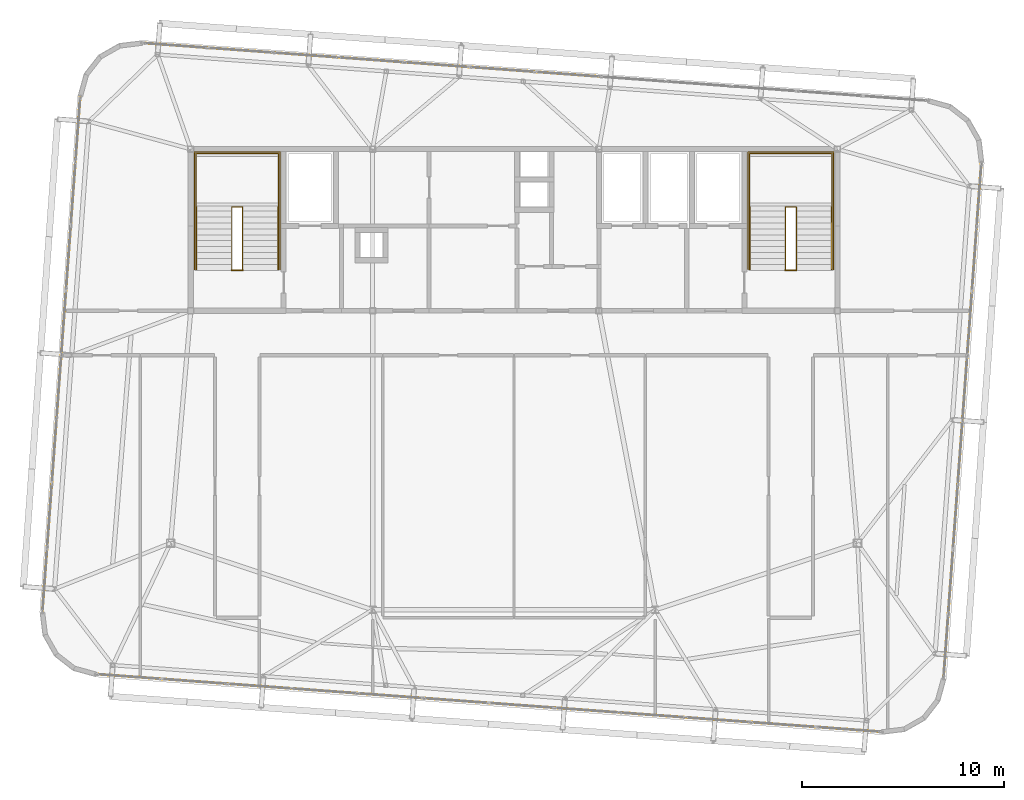
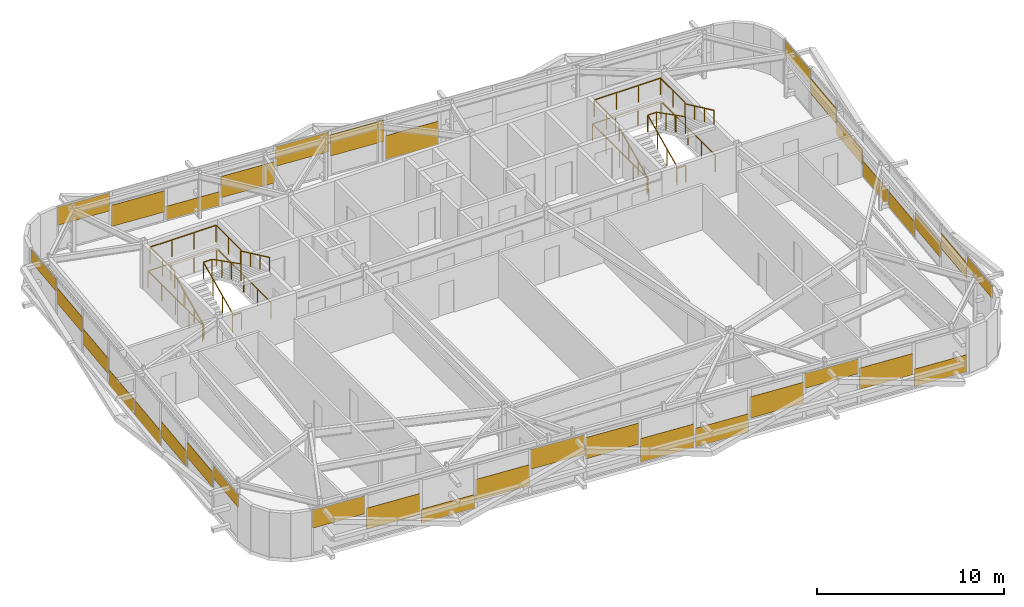
# One storey, part 41 of 42: 35 coverings, 12 railings.
"""IFC4 building model written with IfcOpenShell, lengths in metres."""

from ifc_helpers import new_model, si_unit, direction, frame, origin, origin_2d, place, context, subcontext, project, spatial, rectangle, extrude, source, transform, mapped, material, layer, layer_set, type_object, element, save


model = new_model("IFC4")

# Units and contexts
model_context = context("Model", 3, precision=1e-05, world=origin(), true_north=direction((0.0, 1.0)))
body_context = subcontext(model_context, "Body", "Model", "MODEL_VIEW")
ifc_project = project(units=[si_unit("LENGTHUNIT", "METRE"), si_unit("AREAUNIT", "SQUARE_METRE"), si_unit("VOLUMEUNIT", "CUBIC_METRE"), si_unit("PLANEANGLEUNIT", "RADIAN"), si_unit("MASSUNIT", "GRAM", prefix="KILO")], contexts=[model_context])

# Site, building, storey
site_placement = place(None, origin())
site = spatial("IfcSite", under=ifc_project, at=site_placement, CompositionType="ELEMENT")
building_placement = place(site_placement, origin())
building = spatial("IfcBuilding", under=site, at=building_placement, Name="Taldren Reach Tower", CompositionType="ELEMENT")
storey_placement = place(building_placement, frame((0.0, 0.0, 214.550048828125)))
storey = spatial("IfcBuildingStorey", under=building, at=storey_placement, Name="L65", CompositionType="ELEMENT", Elevation=214.550048828125)

# Railings
ifc_material_1 = material(Name="Steel Gr 350 (C350L0)", Category="steel")
ifc_layer_1 = layer(ifc_material_1, 0.050048828125)
ifc_layer_set_1 = layer_set([ifc_layer_1], Name="Steel Gr 350 (C350L0)")
railing_type_1 = type_object("IfcRailingType", Name="RL-STAIR-GR", PredefinedType="GUARDRAIL", material=ifc_layer_set_1)
railing_1_placement = place(storey_placement, frame((19.260009765625, 29.135009765625, 1.574951171875)))
element("IfcRailing", 1, at=railing_1_placement, inside=storey, type_object=railing_type_1, Name="Stair half-landing perimeter guard ST1-L65", PredefinedType="GUARDRAIL", context=body_context, shape_type="SweptSolid", body=[
    extrude(rectangle(XDim=0.047852, YDim=0.047852, at=origin_2d()), frame((0.0, 0.0, 1.09619140625), z_axis=(0.0, 1.0, 0.0), x_axis=(-1.0, 0.0, 0.0)), (0.0, 0.0, 1.0), 2.64501953125),
    extrude(rectangle(XDim=0.047852, YDim=0.047852, at=origin_2d()), frame((0.0, 2.64501953125, 1.09619140625), z_axis=(1.0, 0.0, 0.0), x_axis=(0.0, 1.0, 0.0)), (0.0, 0.0, 1.0), 4.080078125),
    extrude(rectangle(XDim=0.047852, YDim=0.047852, at=origin_2d()), frame((4.080078125, 2.64501953125, 1.09619140625), z_axis=(0.0, -1.0, 0.0), x_axis=(1.0, 0.0, 0.0)), (0.0, 0.0, 1.0), 2.64501953125),
    extrude(rectangle(XDim=0.041992, YDim=0.041992, at=origin_2d()), origin(), (0.0, 0.0, 1.0), 1.072021484375),
    extrude(rectangle(XDim=0.041992, YDim=0.041992, at=origin_2d()), frame((0.0, 1.322509765625, 0.0)), (0.0, 0.0, 1.0), 1.072021484375),
    extrude(rectangle(XDim=0.041992, YDim=0.041992, at=origin_2d()), frame((0.0, 2.64501953125, 0.0)), (0.0, 0.0, 1.0), 1.072021484375),
    extrude(rectangle(XDim=0.041992, YDim=0.041992, at=origin_2d()), frame((1.360107421875, 2.64501953125, 0.0)), (0.0, 0.0, 1.0), 1.072021484375),
    extrude(rectangle(XDim=0.041992, YDim=0.041992, at=origin_2d()), frame((2.719970703125, 2.64501953125, 0.0)), (0.0, 0.0, 1.0), 1.072021484375),
    extrude(rectangle(XDim=0.041992, YDim=0.041992, at=origin_2d()), frame((4.080078125, 2.64501953125, 0.0)), (0.0, 0.0, 1.0), 1.072021484375),
    extrude(rectangle(XDim=0.041992, YDim=0.041992, at=origin_2d()), frame((4.080078125, 1.322509765625, 0.0)), (0.0, 0.0, 1.0), 1.072021484375),
    extrude(rectangle(XDim=0.041992, YDim=0.041992, at=origin_2d()), frame((4.080078125, 0.0, 0.0)), (0.0, 0.0, 1.0), 1.072021484375),
])
railing_2_placement = place(storey_placement, frame((21.030029296875, 26.050048828125, 0.13134765625)))
element("IfcRailing", 2, at=railing_2_placement, inside=storey, type_object=railing_type_1, Name="Stairwell inner guard ST1-L65", PredefinedType="GUARDRAIL", context=body_context, shape_type="SweptSolid", body=[
    extrude(rectangle(XDim=0.047852, YDim=0.047852, at=origin_2d()), frame((0.0, 0.0, 1.09619140625), z_axis=(0.0, 0.905737652094, 0.423838773095), x_axis=(-1.0, 0.0, 0.0)), (0.0, 0.0, 1.0), 3.406005859375),
    extrude(rectangle(XDim=0.047852, YDim=0.047852, at=origin_2d()), frame((0.0, 3.0849609375, 2.53955078125), z_axis=(1.0, 0.0, 0.0), x_axis=(0.0, 1.0, 0.0)), (0.0, 0.0, 1.0), 0.5400390625),
    extrude(rectangle(XDim=0.047852, YDim=0.047852, at=origin_2d()), frame((0.5400390625, 3.0849609375, 2.53955078125), z_axis=(0.0, -0.890645957773, 0.45469745755), x_axis=(1.0, 0.0, 0.0)), (0.0, 0.0, 1.0), 3.463623046875),
    extrude(rectangle(XDim=0.041992, YDim=0.041992, at=origin_2d()), origin(), (0.0, 0.0, 1.0), 1.072021484375),
    extrude(rectangle(XDim=0.041992, YDim=0.041992, at=origin_2d()), frame((0.0, 1.0283203125, 0.481201171875)), (0.0, 0.0, 1.0), 1.072021484375),
    extrude(rectangle(XDim=0.041992, YDim=0.041992, at=origin_2d()), frame((0.0, 2.056640625, 0.96240234375)), (0.0, 0.0, 1.0), 1.072021484375),
    extrude(rectangle(XDim=0.041992, YDim=0.041992, at=origin_2d()), frame((0.0, 3.0849609375, 1.443603515625)), (0.0, 0.0, 1.0), 1.072021484375),
    extrude(rectangle(XDim=0.041992, YDim=0.041992, at=origin_2d()), frame((0.5400390625, 3.0849609375, 1.443603515625)), (0.0, 0.0, 1.0), 1.072021484375),
    extrude(rectangle(XDim=0.041992, YDim=0.041992, at=origin_2d()), frame((0.5400390625, 2.056640625, 1.968505859375)), (0.0, 0.0, 1.0), 1.072021484375),
    extrude(rectangle(XDim=0.041992, YDim=0.041992, at=origin_2d()), frame((0.5400390625, 1.0283203125, 2.49365234375)), (0.0, 0.0, 1.0), 1.072021484375),
    extrude(rectangle(XDim=0.041992, YDim=0.041992, at=origin_2d()), frame((0.5400390625, 0.0, 3.0185546875)), (0.0, 0.0, 1.0), 1.072021484375),
])
railing_3_placement = place(storey_placement, frame((21.030029296875, 26.010009765625, 0.0)))
element("IfcRailing", 3, at=railing_3_placement, inside=storey, type_object=railing_type_1, Name="Stairwell landing slot guard ST1-L65", PredefinedType="GUARDRAIL", context=body_context, shape_type="SweptSolid", body=[
    extrude(rectangle(XDim=0.047852, YDim=0.047852, at=origin_2d()), frame((0.0, 0.0, 1.09619140625), z_axis=(1.0, 0.0, 0.0), x_axis=(0.0, 1.0, 0.0)), (0.0, 0.0, 1.0), 0.5400390625),
    extrude(rectangle(XDim=0.041992, YDim=0.041992, at=origin_2d()), origin(), (0.0, 0.0, 1.0), 1.072021484375),
    extrude(rectangle(XDim=0.041992, YDim=0.041992, at=origin_2d()), frame((0.5400390625, 0.0, 0.0)), (0.0, 0.0, 1.0), 1.072021484375),
])
railing_4_placement = place(storey_placement, frame((19.18994140625, 26.050048828125, 0.0)))
element("IfcRailing", 4, at=railing_4_placement, inside=storey, type_object=railing_type_1, Name="Stairwell floor opening guard ST1-L65", PredefinedType="GUARDRAIL", context=body_context, shape_type="SweptSolid", body=[
    extrude(rectangle(XDim=0.047852, YDim=0.047852, at=origin_2d()), frame((0.0, 0.0, 1.09619140625), z_axis=(0.0, 1.0, 0.0), x_axis=(-1.0, 0.0, 0.0)), (0.0, 0.0, 1.0), 5.800048828125),
    extrude(rectangle(XDim=0.047852, YDim=0.047852, at=origin_2d()), frame((0.0, 5.800048828125, 1.09619140625), z_axis=(1.0, 0.0, 0.0), x_axis=(0.0, 1.0, 0.0)), (0.0, 0.0, 1.0), 4.219970703125),
    extrude(rectangle(XDim=0.047852, YDim=0.047852, at=origin_2d()), frame((4.219970703125, 5.800048828125, 1.09619140625), z_axis=(0.0, -1.0, 0.0), x_axis=(1.0, 0.0, 0.0)), (0.0, 0.0, 1.0), 5.800048828125),
    extrude(rectangle(XDim=0.041992, YDim=0.041992, at=origin_2d()), origin(), (0.0, 0.0, 1.0), 1.072021484375),
    extrude(rectangle(XDim=0.041992, YDim=0.041992, at=origin_2d()), frame((0.0, 1.449951171875, 0.0)), (0.0, 0.0, 1.0), 1.072021484375),
    extrude(rectangle(XDim=0.041992, YDim=0.041992, at=origin_2d()), frame((0.0, 2.89990234375, 0.0)), (0.0, 0.0, 1.0), 1.072021484375),
    extrude(rectangle(XDim=0.041992, YDim=0.041992, at=origin_2d()), frame((0.0, 4.35009765625, 0.0)), (0.0, 0.0, 1.0), 1.072021484375),
    extrude(rectangle(XDim=0.041992, YDim=0.041992, at=origin_2d()), frame((0.0, 5.800048828125, 0.0)), (0.0, 0.0, 1.0), 1.072021484375),
    extrude(rectangle(XDim=0.041992, YDim=0.041992, at=origin_2d()), frame((1.40673828125, 5.800048828125, 0.0)), (0.0, 0.0, 1.0), 1.072021484375),
    extrude(rectangle(XDim=0.041992, YDim=0.041992, at=origin_2d()), frame((2.813232421875, 5.800048828125, 0.0)), (0.0, 0.0, 1.0), 1.072021484375),
    extrude(rectangle(XDim=0.041992, YDim=0.041992, at=origin_2d()), frame((4.219970703125, 5.800048828125, 0.0)), (0.0, 0.0, 1.0), 1.072021484375),
    extrude(rectangle(XDim=0.041992, YDim=0.041992, at=origin_2d()), frame((4.219970703125, 4.35009765625, 0.0)), (0.0, 0.0, 1.0), 1.072021484375),
    extrude(rectangle(XDim=0.041992, YDim=0.041992, at=origin_2d()), frame((4.219970703125, 2.89990234375, 0.0)), (0.0, 0.0, 1.0), 1.072021484375),
    extrude(rectangle(XDim=0.041992, YDim=0.041992, at=origin_2d()), frame((4.219970703125, 1.449951171875, 0.0)), (0.0, 0.0, 1.0), 1.072021484375),
    extrude(rectangle(XDim=0.041992, YDim=0.041992, at=origin_2d()), frame((4.219970703125, 0.0, 0.0)), (0.0, 0.0, 1.0), 1.072021484375),
])
railing_5_placement = place(storey_placement, frame((46.659912109375, 29.135009765625, 1.574951171875)))
element("IfcRailing", 5, at=railing_5_placement, inside=storey, type_object=railing_type_1, Name="Stair half-landing perimeter guard ST2-L65", PredefinedType="GUARDRAIL", context=body_context, shape_type="SweptSolid", body=[
    extrude(rectangle(XDim=0.047852, YDim=0.047852, at=origin_2d()), frame((0.0, 0.0, 1.09619140625), z_axis=(0.0, 1.0, 0.0), x_axis=(-1.0, 0.0, 0.0)), (0.0, 0.0, 1.0), 2.64501953125),
    extrude(rectangle(XDim=0.047852, YDim=0.047852, at=origin_2d()), frame((0.0, 2.64501953125, 1.09619140625), z_axis=(1.0, 0.0, 0.0), x_axis=(0.0, 1.0, 0.0)), (0.0, 0.0, 1.0), 4.080078125),
    extrude(rectangle(XDim=0.047852, YDim=0.047852, at=origin_2d()), frame((4.080078125, 2.64501953125, 1.09619140625), z_axis=(0.0, -1.0, 0.0), x_axis=(1.0, 0.0, 0.0)), (0.0, 0.0, 1.0), 2.64501953125),
    extrude(rectangle(XDim=0.041992, YDim=0.041992, at=origin_2d()), origin(), (0.0, 0.0, 1.0), 1.072021484375),
    extrude(rectangle(XDim=0.041992, YDim=0.041992, at=origin_2d()), frame((0.0, 1.322509765625, 0.0)), (0.0, 0.0, 1.0), 1.072021484375),
    extrude(rectangle(XDim=0.041992, YDim=0.041992, at=origin_2d()), frame((0.0, 2.64501953125, 0.0)), (0.0, 0.0, 1.0), 1.072021484375),
    extrude(rectangle(XDim=0.041992, YDim=0.041992, at=origin_2d()), frame((1.360107421875, 2.64501953125, 0.0)), (0.0, 0.0, 1.0), 1.072021484375),
    extrude(rectangle(XDim=0.041992, YDim=0.041992, at=origin_2d()), frame((2.719970703125, 2.64501953125, 0.0)), (0.0, 0.0, 1.0), 1.072021484375),
    extrude(rectangle(XDim=0.041992, YDim=0.041992, at=origin_2d()), frame((4.080078125, 2.64501953125, 0.0)), (0.0, 0.0, 1.0), 1.072021484375),
    extrude(rectangle(XDim=0.041992, YDim=0.041992, at=origin_2d()), frame((4.080078125, 1.322509765625, 0.0)), (0.0, 0.0, 1.0), 1.072021484375),
    extrude(rectangle(XDim=0.041992, YDim=0.041992, at=origin_2d()), frame((4.080078125, 0.0, 0.0)), (0.0, 0.0, 1.0), 1.072021484375),
])
railing_6_placement = place(storey_placement, frame((48.429931640625, 26.050048828125, 0.13134765625)))
element("IfcRailing", 6, at=railing_6_placement, inside=storey, type_object=railing_type_1, Name="Stairwell inner guard ST2-L65", PredefinedType="GUARDRAIL", context=body_context, shape_type="SweptSolid", body=[
    extrude(rectangle(XDim=0.047852, YDim=0.047852, at=origin_2d()), frame((0.0, 0.0, 1.09619140625), z_axis=(0.0, 0.905737652094, 0.423838773095), x_axis=(-1.0, 0.0, 0.0)), (0.0, 0.0, 1.0), 3.406005859375),
    extrude(rectangle(XDim=0.047852, YDim=0.047852, at=origin_2d()), frame((0.0, 3.0849609375, 2.53955078125), z_axis=(1.0, 0.0, 0.0), x_axis=(0.0, 1.0, 0.0)), (0.0, 0.0, 1.0), 0.5400390625),
    extrude(rectangle(XDim=0.047852, YDim=0.047852, at=origin_2d()), frame((0.5400390625, 3.0849609375, 2.53955078125), z_axis=(0.0, -0.890645957773, 0.45469745755), x_axis=(1.0, 0.0, 0.0)), (0.0, 0.0, 1.0), 3.463623046875),
    extrude(rectangle(XDim=0.041992, YDim=0.041992, at=origin_2d()), origin(), (0.0, 0.0, 1.0), 1.072021484375),
    extrude(rectangle(XDim=0.041992, YDim=0.041992, at=origin_2d()), frame((0.0, 1.0283203125, 0.481201171875)), (0.0, 0.0, 1.0), 1.072021484375),
    extrude(rectangle(XDim=0.041992, YDim=0.041992, at=origin_2d()), frame((0.0, 2.056640625, 0.96240234375)), (0.0, 0.0, 1.0), 1.072021484375),
    extrude(rectangle(XDim=0.041992, YDim=0.041992, at=origin_2d()), frame((0.0, 3.0849609375, 1.443603515625)), (0.0, 0.0, 1.0), 1.072021484375),
    extrude(rectangle(XDim=0.041992, YDim=0.041992, at=origin_2d()), frame((0.5400390625, 3.0849609375, 1.443603515625)), (0.0, 0.0, 1.0), 1.072021484375),
    extrude(rectangle(XDim=0.041992, YDim=0.041992, at=origin_2d()), frame((0.5400390625, 2.056640625, 1.968505859375)), (0.0, 0.0, 1.0), 1.072021484375),
    extrude(rectangle(XDim=0.041992, YDim=0.041992, at=origin_2d()), frame((0.5400390625, 1.0283203125, 2.49365234375)), (0.0, 0.0, 1.0), 1.072021484375),
    extrude(rectangle(XDim=0.041992, YDim=0.041992, at=origin_2d()), frame((0.5400390625, 0.0, 3.0185546875)), (0.0, 0.0, 1.0), 1.072021484375),
])
railing_7_placement = place(storey_placement, frame((48.429931640625, 26.010009765625, 0.0)))
element("IfcRailing", 7, at=railing_7_placement, inside=storey, type_object=railing_type_1, Name="Stairwell landing slot guard ST2-L65", PredefinedType="GUARDRAIL", context=body_context, shape_type="SweptSolid", body=[
    extrude(rectangle(XDim=0.047852, YDim=0.047852, at=origin_2d()), frame((0.0, 0.0, 1.09619140625), z_axis=(1.0, 0.0, 0.0), x_axis=(0.0, 1.0, 0.0)), (0.0, 0.0, 1.0), 0.5400390625),
    extrude(rectangle(XDim=0.041992, YDim=0.041992, at=origin_2d()), origin(), (0.0, 0.0, 1.0), 1.072021484375),
    extrude(rectangle(XDim=0.041992, YDim=0.041992, at=origin_2d()), frame((0.5400390625, 0.0, 0.0)), (0.0, 0.0, 1.0), 1.072021484375),
])
railing_8_placement = place(storey_placement, frame((46.590087890625, 26.050048828125, 0.0)))
element("IfcRailing", 8, at=railing_8_placement, inside=storey, type_object=railing_type_1, Name="Stairwell floor opening guard ST2-L65", PredefinedType="GUARDRAIL", context=body_context, shape_type="SweptSolid", body=[
    extrude(rectangle(XDim=0.047852, YDim=0.047852, at=origin_2d()), frame((0.0, 0.0, 1.09619140625), z_axis=(0.0, 1.0, 0.0), x_axis=(-1.0, 0.0, 0.0)), (0.0, 0.0, 1.0), 5.800048828125),
    extrude(rectangle(XDim=0.047852, YDim=0.047852, at=origin_2d()), frame((0.0, 5.800048828125, 1.09619140625), z_axis=(1.0, 0.0, 0.0), x_axis=(0.0, 1.0, 0.0)), (0.0, 0.0, 1.0), 4.219970703125),
    extrude(rectangle(XDim=0.047852, YDim=0.047852, at=origin_2d()), frame((4.219970703125, 5.800048828125, 1.09619140625), z_axis=(0.0, -1.0, 0.0), x_axis=(1.0, 0.0, 0.0)), (0.0, 0.0, 1.0), 5.800048828125),
    extrude(rectangle(XDim=0.041992, YDim=0.041992, at=origin_2d()), origin(), (0.0, 0.0, 1.0), 1.072021484375),
    extrude(rectangle(XDim=0.041992, YDim=0.041992, at=origin_2d()), frame((0.0, 1.449951171875, 0.0)), (0.0, 0.0, 1.0), 1.072021484375),
    extrude(rectangle(XDim=0.041992, YDim=0.041992, at=origin_2d()), frame((0.0, 2.89990234375, 0.0)), (0.0, 0.0, 1.0), 1.072021484375),
    extrude(rectangle(XDim=0.041992, YDim=0.041992, at=origin_2d()), frame((0.0, 4.35009765625, 0.0)), (0.0, 0.0, 1.0), 1.072021484375),
    extrude(rectangle(XDim=0.041992, YDim=0.041992, at=origin_2d()), frame((0.0, 5.800048828125, 0.0)), (0.0, 0.0, 1.0), 1.072021484375),
    extrude(rectangle(XDim=0.041992, YDim=0.041992, at=origin_2d()), frame((1.40673828125, 5.800048828125, 0.0)), (0.0, 0.0, 1.0), 1.072021484375),
    extrude(rectangle(XDim=0.041992, YDim=0.041992, at=origin_2d()), frame((2.813232421875, 5.800048828125, 0.0)), (0.0, 0.0, 1.0), 1.072021484375),
    extrude(rectangle(XDim=0.041992, YDim=0.041992, at=origin_2d()), frame((4.219970703125, 5.800048828125, 0.0)), (0.0, 0.0, 1.0), 1.072021484375),
    extrude(rectangle(XDim=0.041992, YDim=0.041992, at=origin_2d()), frame((4.219970703125, 4.35009765625, 0.0)), (0.0, 0.0, 1.0), 1.072021484375),
    extrude(rectangle(XDim=0.041992, YDim=0.041992, at=origin_2d()), frame((4.219970703125, 2.89990234375, 0.0)), (0.0, 0.0, 1.0), 1.072021484375),
    extrude(rectangle(XDim=0.041992, YDim=0.041992, at=origin_2d()), frame((4.219970703125, 1.449951171875, 0.0)), (0.0, 0.0, 1.0), 1.072021484375),
    extrude(rectangle(XDim=0.041992, YDim=0.041992, at=origin_2d()), frame((4.219970703125, 0.0, 0.0)), (0.0, 0.0, 1.0), 1.072021484375),
])
ifc_material_2 = material(Name="Stainless Steel Gr 316", Category="steel")
ifc_layer_2 = layer(ifc_material_2, 0.048095703125)
ifc_layer_set_2 = layer_set([ifc_layer_2], Name="Stainless Steel Gr 316")
railing_type_2 = type_object("IfcRailingType", Name="RL-STAIR-HR", PredefinedType="HANDRAIL", material=ifc_layer_set_2)
railing_9_placement = place(storey_placement, frame((19.27001953125, 26.050048828125, 0.13134765625)))
element("IfcRailing", 9, at=railing_9_placement, inside=storey, type_object=railing_type_2, Name="Stair flight handrail ST1-L65-1", PredefinedType="HANDRAIL", context=body_context, shape_type="SweptSolid", body=[
    extrude(rectangle(XDim=0.047852, YDim=0.047852, at=origin_2d()), frame((0.0, 0.0, 0.89599609375), z_axis=(0.0, 0.905737652094, 0.423838773095), x_axis=(-1.0, 0.0, 0.0)), (0.0, 0.0, 1.0), 3.406005859375),
    extrude(rectangle(XDim=0.041992, YDim=0.041992, at=origin_2d()), origin(), (0.0, 0.0, 1.0), 0.871826171875),
    extrude(rectangle(XDim=0.041992, YDim=0.041992, at=origin_2d()), frame((0.0, 1.0283203125, 0.481201171875)), (0.0, 0.0, 1.0), 0.871826171875),
    extrude(rectangle(XDim=0.041992, YDim=0.041992, at=origin_2d()), frame((0.0, 2.056640625, 0.96240234375)), (0.0, 0.0, 1.0), 0.871826171875),
    extrude(rectangle(XDim=0.041992, YDim=0.041992, at=origin_2d()), frame((0.0, 3.0849609375, 1.443603515625)), (0.0, 0.0, 1.0), 0.871826171875),
])
railing_10_placement = place(storey_placement, frame((23.330078125, 29.135009765625, 1.7060546875)))
element("IfcRailing", 10, at=railing_10_placement, inside=storey, type_object=railing_type_2, Name="Stair flight handrail ST1-L65-2", PredefinedType="HANDRAIL", context=body_context, shape_type="SweptSolid", body=[
    extrude(rectangle(XDim=0.047852, YDim=0.047852, at=origin_2d()), frame((0.0, 0.0, 0.89599609375), z_axis=(0.0, -0.905710134349, 0.423897573167), x_axis=(1.0, 0.0, 0.0)), (0.0, 0.0, 1.0), 3.406005859375),
    extrude(rectangle(XDim=0.041992, YDim=0.041992, at=origin_2d()), origin(), (0.0, 0.0, 1.0), 0.871826171875),
    extrude(rectangle(XDim=0.041992, YDim=0.041992, at=origin_2d()), frame((0.0, -1.0283203125, 0.481201171875)), (0.0, 0.0, 1.0), 0.871826171875),
    extrude(rectangle(XDim=0.041992, YDim=0.041992, at=origin_2d()), frame((0.0, -2.056640625, 0.962646484375)), (0.0, 0.0, 1.0), 0.871826171875),
    extrude(rectangle(XDim=0.041992, YDim=0.041992, at=origin_2d()), frame((0.0, -3.0849609375, 1.44384765625)), (0.0, 0.0, 1.0), 0.871826171875),
])
railing_11_placement = place(storey_placement, frame((46.669921875, 26.050048828125, 0.13134765625)))
element("IfcRailing", 11, at=railing_11_placement, inside=storey, type_object=railing_type_2, Name="Stair flight handrail ST2-L65-1", PredefinedType="HANDRAIL", context=body_context, shape_type="SweptSolid", body=[
    extrude(rectangle(XDim=0.047852, YDim=0.047852, at=origin_2d()), frame((0.0, 0.0, 0.89599609375), z_axis=(0.0, 0.905737652094, 0.423838773095), x_axis=(-1.0, 0.0, 0.0)), (0.0, 0.0, 1.0), 3.406005859375),
    extrude(rectangle(XDim=0.041992, YDim=0.041992, at=origin_2d()), origin(), (0.0, 0.0, 1.0), 0.871826171875),
    extrude(rectangle(XDim=0.041992, YDim=0.041992, at=origin_2d()), frame((0.0, 1.0283203125, 0.481201171875)), (0.0, 0.0, 1.0), 0.871826171875),
    extrude(rectangle(XDim=0.041992, YDim=0.041992, at=origin_2d()), frame((0.0, 2.056640625, 0.96240234375)), (0.0, 0.0, 1.0), 0.871826171875),
    extrude(rectangle(XDim=0.041992, YDim=0.041992, at=origin_2d()), frame((0.0, 3.0849609375, 1.443603515625)), (0.0, 0.0, 1.0), 0.871826171875),
])
railing_12_placement = place(storey_placement, frame((50.72998046875, 29.135009765625, 1.7060546875)))
element("IfcRailing", 12, at=railing_12_placement, inside=storey, type_object=railing_type_2, Name="Stair flight handrail ST2-L65-2", PredefinedType="HANDRAIL", context=body_context, shape_type="SweptSolid", body=[
    extrude(rectangle(XDim=0.047852, YDim=0.047852, at=origin_2d()), frame((0.0, 0.0, 0.89599609375), z_axis=(0.0, -0.905710134349, 0.423897573167), x_axis=(1.0, 0.0, 0.0)), (0.0, 0.0, 1.0), 3.406005859375),
    extrude(rectangle(XDim=0.041992, YDim=0.041992, at=origin_2d()), origin(), (0.0, 0.0, 1.0), 0.871826171875),
    extrude(rectangle(XDim=0.041992, YDim=0.041992, at=origin_2d()), frame((0.0, -1.0283203125, 0.481201171875)), (0.0, 0.0, 1.0), 0.871826171875),
    extrude(rectangle(XDim=0.041992, YDim=0.041992, at=origin_2d()), frame((0.0, -2.056640625, 0.962646484375)), (0.0, 0.0, 1.0), 0.871826171875),
    extrude(rectangle(XDim=0.041992, YDim=0.041992, at=origin_2d()), frame((0.0, -3.0849609375, 1.44384765625)), (0.0, 0.0, 1.0), 0.871826171875),
])

# Coverings
ifc_material_3 = material(Name="Pale Champagne Fluoropolymer Aluminium Spandrel Cladding", Category="aluminium")
ifc_layer_3 = layer(ifc_material_3, 0.0439453125)
ifc_layer_set_3 = layer_set([ifc_layer_3], Name="Pale Champagne Fluoropolymer Aluminium Spandrel Cladding")
covering_type = type_object("IfcCoveringType", Name="CV-CLAD-044", PredefinedType="CLADDING", material=ifc_layer_set_3)
shared_shape_1 = source(origin(), body_context, "Body", "SweptSolid", [
    extrude(rectangle(XDim=3.137451171875, YDim=0.0439453125, at=origin_2d()), origin(), (0.0, 0.0, 1.0), 1.1796875),
])
for number, where, z_axis, x_axis, name in (
    (13, (15.94482421875, 5.889892578125, 1.690185546875), (0.0, 0.0, 1.0), (0.997314476006, -0.073238213716, 0.0), "Diagrid closure cladding strip CW-6 panel 1.1 1"),
    (14, (18.238525390625, 37.125732421875, 1.690185546875), (0.0, 0.0, 1.0), (-0.997314476006, 0.073238213716, 0.0), "Diagrid closure cladding strip CW-6 panel 12.1 1"),
):
    element("IfcCovering", number, at=place(storey_placement, frame(where, z_axis=z_axis, x_axis=x_axis)), inside=storey, type_object=covering_type, Name=name, PredefinedType="CLADDING", context=body_context, shape_type="MappedRepresentation", body=[
        mapped(shared_shape_1, transform((0.0, 0.0, 0.0), scale=1.0)),
    ])
shared_shape_2 = source(origin(), body_context, "Body", "SweptSolid", [
    extrude(rectangle(XDim=3.175048828125, YDim=0.0439453125, at=origin_2d()), origin(), (0.0, 0.0, 1.0), 1.383056640625),
])
for number, where, z_axis, x_axis, name in (
    (15, (19.16748046875, 5.653076171875, 0.634765625), (0.0, 0.0, 1.0), (0.997314476006, -0.073238213716, 0.0), "Diagrid closure cladding strip CW-6 panel 2.1 1"),
    (16, (25.64990234375, 5.177001953125, 0.53369140625), (0.0, 0.0, 1.0), (0.997314476006, -0.073238213716, 0.0), "Diagrid closure cladding strip CW-6 panel 4.1 1"),
    (17, (32.132568359375, 4.701171875, 1.271484375), (0.0, 0.0, 1.0), (0.997314476006, -0.073238213716, 0.0), "Diagrid closure cladding strip CW-6 panel 6.1 1"),
    (18, (41.856201171875, 3.987060546875, 0.953125), (0.0, 0.0, 1.0), (0.997314476006, -0.073238213716, 0.0), "Diagrid closure cladding strip CW-6 panel 9.1 1"),
    (19, (48.3388671875, 3.510986328125, 0.85205078125), (0.0, 0.0, 1.0), (0.997314476006, -0.073238213716, 0.0), "Diagrid closure cladding strip CW-6 panel 11.1 1"),
    (20, (34.42626953125, 35.93701171875, 1.271484375), (0.0, 0.0, 1.0), (-0.997314476006, 0.073238213716, 0.0), "Diagrid closure cladding strip CW-6 panel 7.1 1"),
    (21, (27.94384765625, 36.4130859375, 0.53369140625), (0.0, 0.0, 1.0), (-0.997314476006, 0.073238213716, 0.0), "Diagrid closure cladding strip CW-6 panel 9.1 1"),
    (22, (21.461181640625, 36.88916015625, 0.634765625), (0.0, 0.0, 1.0), (-0.997314476006, 0.073238213716, 0.0), "Diagrid closure cladding strip CW-6 panel 11.1 1"),
):
    element("IfcCovering", number, at=place(storey_placement, frame(where, z_axis=z_axis, x_axis=x_axis)), inside=storey, type_object=covering_type, Name=name, PredefinedType="CLADDING", context=body_context, shape_type="MappedRepresentation", body=[
        mapped(shared_shape_2, transform((0.0, 0.0, 0.0), scale=1.0)),
    ])
shared_shape_3 = source(origin(), body_context, "Body", "SweptSolid", [
    extrude(rectangle(XDim=3.175048828125, YDim=0.0439453125, at=origin_2d()), origin(), (0.0, 0.0, 1.0), 0.90185546875),
])
for number, where, z_axis, x_axis, name in (
    (23, (22.40869140625, 5.4150390625, 0.06005859375), (0.0, 0.0, 1.0), (0.997314476006, -0.073238213716, 0.0), "Diagrid closure cladding strip CW-6 panel 3.1 1"),
    (24, (24.702392578125, 36.651123046875, 0.06005859375), (0.0, 0.0, 1.0), (-0.997314476006, 0.073238213716, 0.0), "Diagrid closure cladding strip CW-6 panel 10.1 1"),
):
    element("IfcCovering", number, at=place(storey_placement, frame(where, z_axis=z_axis, x_axis=x_axis)), inside=storey, type_object=covering_type, Name=name, PredefinedType="CLADDING", context=body_context, shape_type="MappedRepresentation", body=[
        mapped(shared_shape_3, transform((0.0, 0.0, 0.0), scale=1.0)),
    ])
shared_shape_4 = source(origin(), body_context, "Body", "SweptSolid", [
    extrude(rectangle(XDim=3.175048828125, YDim=0.0439453125, at=origin_2d()), origin(), (0.0, 0.0, 1.0), 1.2802734375),
])
for number, where, z_axis, x_axis, name in (
    (25, (28.89111328125, 4.939208984375, 1.589599609375), (0.0, 0.0, 1.0), (0.997314476006, -0.073238213716, 0.0), "Diagrid closure cladding strip CW-6 panel 5.1 1"),
    (26, (31.18505859375, 36.175048828125, 1.589599609375), (0.0, 0.0, 1.0), (-0.997314476006, 0.073238213716, 0.0), "Diagrid closure cladding strip CW-6 panel 8.1 1"),
):
    element("IfcCovering", number, at=place(storey_placement, frame(where, z_axis=z_axis, x_axis=x_axis)), inside=storey, type_object=covering_type, Name=name, PredefinedType="CLADDING", context=body_context, shape_type="MappedRepresentation", body=[
        mapped(shared_shape_4, transform((0.0, 0.0, 0.0), scale=1.0)),
    ])
shared_shape_5 = source(origin(), body_context, "Body", "SweptSolid", [
    extrude(rectangle(XDim=3.175048828125, YDim=0.0439453125, at=origin_2d()), origin(), (0.0, 0.0, 1.0), 1.53857421875),
])
for number, where, z_axis, x_axis, name in (
    (27, (35.373779296875, 4.463134765625, 0.06005859375), (0.0, 0.0, 1.0), (0.997314476006, -0.073238213716, 0.0), "Diagrid closure cladding strip CW-6 panel 7.1 1"),
    (28, (37.66748046875, 35.698974609375, 0.06005859375), (0.0, 0.0, 1.0), (-0.997314476006, 0.073238213716, 0.0), "Diagrid closure cladding strip CW-6 panel 6.1 1"),
):
    element("IfcCovering", number, at=place(storey_placement, frame(where, z_axis=z_axis, x_axis=x_axis)), inside=storey, type_object=covering_type, Name=name, PredefinedType="CLADDING", context=body_context, shape_type="MappedRepresentation", body=[
        mapped(shared_shape_5, transform((0.0, 0.0, 0.0), scale=1.0)),
    ])
shared_shape_6 = source(origin(), body_context, "Body", "SweptSolid", [
    extrude(rectangle(XDim=3.175048828125, YDim=0.0439453125, at=origin_2d()), origin(), (0.0, 0.0, 1.0), 1.22021484375),
])
covering_1_placement = place(storey_placement, frame((38.614990234375, 4.22509765625, 0.06005859375), z_axis=(0.0, 0.0, 1.0), x_axis=(0.997314476006, -0.073238213716, 0.0)))
element("IfcCovering", 29, at=covering_1_placement, inside=storey, type_object=covering_type, Name="Diagrid closure cladding strip CW-6 panel 8.1 1", PredefinedType="CLADDING", context=body_context, shape_type="MappedRepresentation", body=[
    mapped(shared_shape_6, transform((0.0, 0.0, 0.0), scale=1.0)),
])
shared_shape_7 = source(origin(), body_context, "Body", "SweptSolid", [
    extrude(rectangle(XDim=3.175048828125, YDim=0.0439453125, at=origin_2d()), origin(), (0.0, 0.0, 1.0), 0.9619140625),
])
covering_2_placement = place(storey_placement, frame((45.09765625, 3.7490234375, 1.907958984375), z_axis=(0.0, 0.0, 1.0), x_axis=(0.997314476006, -0.073238213716, 0.0)))
element("IfcCovering", 30, at=covering_2_placement, inside=storey, type_object=covering_type, Name="Diagrid closure cladding strip CW-6 panel 10.1 1", PredefinedType="CLADDING", context=body_context, shape_type="MappedRepresentation", body=[
    mapped(shared_shape_7, transform((0.0, 0.0, 0.0), scale=1.0)),
])
shared_shape_8 = source(origin(), body_context, "Body", "SweptSolid", [
    extrude(rectangle(XDim=3.137451171875, YDim=0.0439453125, at=origin_2d()), origin(), (0.0, 0.0, 1.0), 1.11962890625),
])
covering_3_placement = place(storey_placement, frame((51.561279296875, 3.2744140625, 0.06005859375), z_axis=(0.0, 0.0, 1.0), x_axis=(0.997314476006, -0.073238213716, 0.0)))
element("IfcCovering", 31, at=covering_3_placement, inside=storey, type_object=covering_type, Name="Diagrid closure cladding strip CW-6 panel 12.1 1", PredefinedType="CLADDING", context=body_context, shape_type="MappedRepresentation", body=[
    mapped(shared_shape_8, transform((0.0, 0.0, 0.0), scale=1.0)),
])
shared_shape_9 = source(origin(), body_context, "Body", "SweptSolid", [
    extrude(rectangle(XDim=3.08740234375, YDim=0.0439453125, at=origin_2d()), origin(), (0.0, 0.0, 1.0), 0.80224609375),
])
for number, where, z_axis, x_axis, name in (
    (32, (13.4189453125, 32.98876953125, 2.06787109375), (0.0, 0.0, 1.0), (-0.073238282558, -0.997314470951, 0.0), "Diagrid closure cladding strip CW-6 panel 1.1 1"),
    (33, (11.78125, 10.686279296875, 2.06787109375), (0.0, 0.0, 1.0), (-0.073238282558, -0.997314470951, 0.0), "Diagrid closure cladding strip CW-6 panel 8.1 1"),
    (34, (56.381103515625, 7.4111328125, 2.06787109375), (0.0, 0.0, 1.0), (0.073238282558, 0.997314470951, 0.0), "Diagrid closure cladding strip CW-6 panel 1.1 1"),
    (35, (58.018798828125, 29.713623046875, 2.06787109375), (0.0, 0.0, 1.0), (0.073238282558, 0.997314470951, 0.0), "Diagrid closure cladding strip CW-6 panel 8.1 1"),
):
    element("IfcCovering", number, at=place(storey_placement, frame(where, z_axis=z_axis, x_axis=x_axis)), inside=storey, type_object=covering_type, Name=name, PredefinedType="CLADDING", context=body_context, shape_type="MappedRepresentation", body=[
        mapped(shared_shape_9, transform((0.0, 0.0, 0.0), scale=1.0)),
    ])
shared_shape_10 = source(origin(), body_context, "Body", "SweptSolid", [
    extrude(rectangle(XDim=3.125, YDim=0.0439453125, at=origin_2d()), origin(), (0.0, 0.0, 1.0), 0.99658203125),
])
for number, where, z_axis, x_axis, name in (
    (36, (13.18603515625, 29.816162109375, 1.3974609375), (0.0, 0.0, 1.0), (-0.073238282558, -0.997314470951, 0.0), "Diagrid closure cladding strip CW-6 panel 2.1 1"),
    (37, (12.95166015625, 26.624755859375, 0.727294921875), (0.0, 0.0, 1.0), (-0.073238282558, -0.997314470951, 0.0), "Diagrid closure cladding strip CW-6 panel 3.1 1"),
    (38, (12.24853515625, 17.050537109375, 0.727294921875), (0.0, 0.0, 1.0), (-0.073238282558, -0.997314470951, 0.0), "Diagrid closure cladding strip CW-6 panel 6.1 1"),
    (39, (12.01416015625, 13.859130859375, 1.3974609375), (0.0, 0.0, 1.0), (-0.073238282558, -0.997314470951, 0.0), "Diagrid closure cladding strip CW-6 panel 7.1 1"),
    (40, (56.614013671875, 10.583984375, 1.3974609375), (0.0, 0.0, 1.0), (0.073238282558, 0.997314470951, 0.0), "Diagrid closure cladding strip CW-6 panel 2.1 1"),
    (41, (56.848388671875, 13.775390625, 0.727294921875), (0.0, 0.0, 1.0), (0.073238282558, 0.997314470951, 0.0), "Diagrid closure cladding strip CW-6 panel 3.1 1"),
    (42, (57.551513671875, 23.349609375, 0.727294921875), (0.0, 0.0, 1.0), (0.073238282558, 0.997314470951, 0.0), "Diagrid closure cladding strip CW-6 panel 6.1 1"),
    (43, (57.785888671875, 26.541015625, 1.3974609375), (0.0, 0.0, 1.0), (0.073238282558, 0.997314470951, 0.0), "Diagrid closure cladding strip CW-6 panel 7.1 1"),
):
    element("IfcCovering", number, at=place(storey_placement, frame(where, z_axis=z_axis, x_axis=x_axis)), inside=storey, type_object=covering_type, Name=name, PredefinedType="CLADDING", context=body_context, shape_type="MappedRepresentation", body=[
        mapped(shared_shape_10, transform((0.0, 0.0, 0.0), scale=1.0)),
    ])
shared_shape_11 = source(origin(), body_context, "Body", "SweptSolid", [
    extrude(rectangle(XDim=3.125, YDim=0.0439453125, at=origin_2d()), origin(), (0.0, 0.0, 1.0), 0.993408203125),
])
for number, where, z_axis, x_axis, name in (
    (44, (12.71728515625, 23.433349609375, 0.06005859375), (0.0, 0.0, 1.0), (-0.073238282558, -0.997314470951, 0.0), "Diagrid closure cladding strip CW-6 panel 4.1 1"),
    (45, (12.48291015625, 20.241943359375, 0.06005859375), (0.0, 0.0, 1.0), (-0.073238282558, -0.997314470951, 0.0), "Diagrid closure cladding strip CW-6 panel 5.1 1"),
    (46, (57.082763671875, 16.966796875, 0.06005859375), (0.0, 0.0, 1.0), (0.073238282558, 0.997314470951, 0.0), "Diagrid closure cladding strip CW-6 panel 4.1 1"),
    (47, (57.317138671875, 20.158203125, 0.06005859375), (0.0, 0.0, 1.0), (0.073238282558, 0.997314470951, 0.0), "Diagrid closure cladding strip CW-6 panel 5.1 1"),
):
    element("IfcCovering", number, at=place(storey_placement, frame(where, z_axis=z_axis, x_axis=x_axis)), inside=storey, type_object=covering_type, Name=name, PredefinedType="CLADDING", context=body_context, shape_type="MappedRepresentation", body=[
        mapped(shared_shape_11, transform((0.0, 0.0, 0.0), scale=1.0)),
    ])

save(model, "model.ifc")
